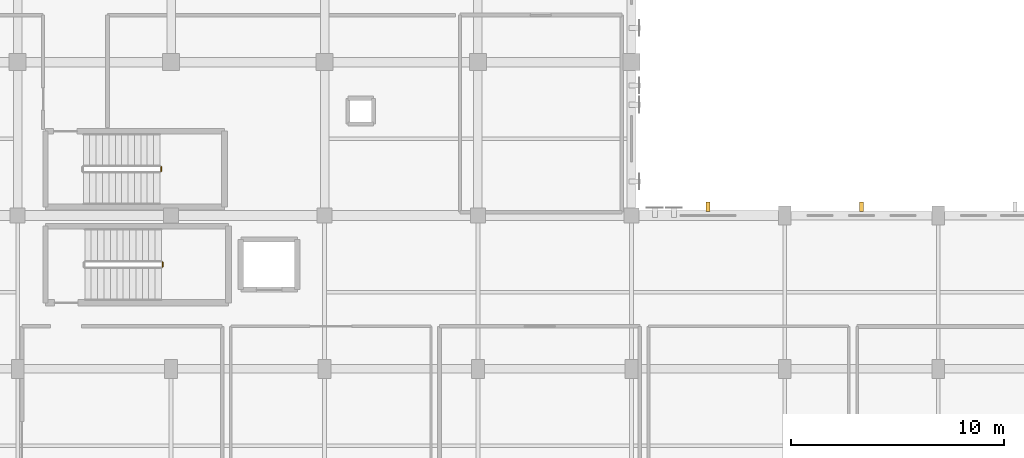
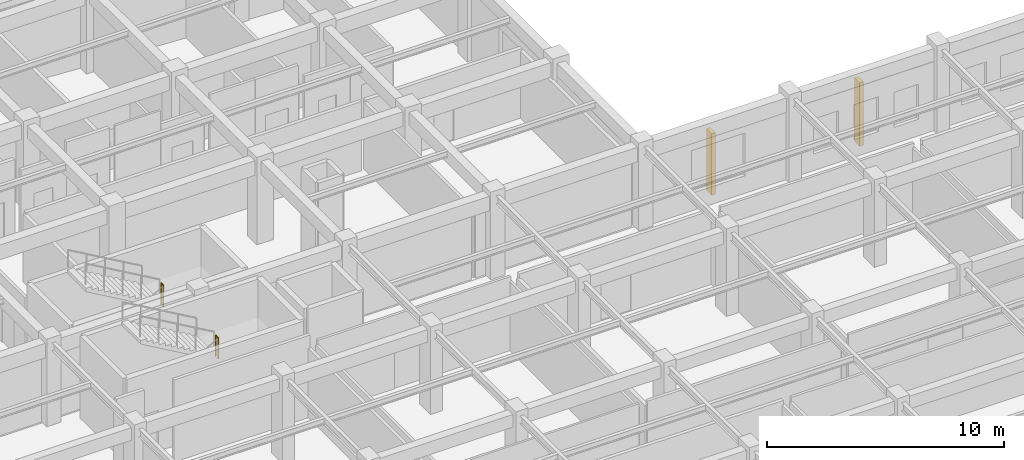
# One storey, part 105 of 106: 2 railings, 2 shading devices.
"""IFC4 building model written with IfcOpenShell, lengths in metres."""

from ifc_helpers import new_model, si_unit, direction, frame, origin, origin_2d, place, context, subcontext, project, spatial, rectangle, circle, extrude, material, layer, layer_set, type_object, element, save


model = new_model("IFC4")

# Units and contexts
model_context = context("Model", 3, precision=1e-05, world=origin(), true_north=direction((0.0, 1.0)))
body_context = subcontext(model_context, "Body", "Model", "MODEL_VIEW")
ifc_project = project(units=[si_unit("LENGTHUNIT", "METRE"), si_unit("AREAUNIT", "SQUARE_METRE"), si_unit("VOLUMEUNIT", "CUBIC_METRE"), si_unit("PLANEANGLEUNIT", "RADIAN"), si_unit("MASSUNIT", "GRAM", prefix="KILO")], contexts=[model_context])

# Site, building, storey
site_placement = place(None, origin())
site = spatial("IfcSite", under=ifc_project, at=site_placement, CompositionType="ELEMENT")
building_placement = place(site_placement, origin())
building = spatial("IfcBuilding", under=site, at=building_placement, Name="Carrowvane Square Congress Hotel", CompositionType="ELEMENT")
storey_placement = place(building_placement, frame((0.0, 0.0, 10.5)))
storey = spatial("IfcBuildingStorey", under=building, at=storey_placement, Name="L02", CompositionType="ELEMENT", Elevation=10.5)

# Railings
ifc_material_1 = material(Name="Galvanised steel", Category="steel")
ifc_layer = layer(ifc_material_1, 0.048095703125)
ifc_layer_set = layer_set([ifc_layer], Name="Galvanised steel")
railing_type = type_object("IfcRailingType", Name="RLG-STG-1100", PredefinedType="GUARDRAIL", material=ifc_layer_set)
for number, where, name in (
    (1, (140.800048828125, 89.39990234375, 2.25), "L02 ST8 stair guard 2"),
    (2, (140.72998046875, 93.8798828125, 2.25), "L02 ST12 stair guard 2"),
):
    element("IfcRailing", number, at=place(storey_placement, frame(where)), inside=storey, type_object=railing_type, Name=name, PredefinedType="GUARDRAIL", context=body_context, shape_type="SweptSolid", body=[
        extrude(circle(Radius=0.02392578125, at=origin_2d()), frame((0.0, 0.0, 1.076171875), z_axis=(0.0, 1.0, 0.0), x_axis=(-1.0, 0.0, 0.0)), (0.0, 0.0, 1.0), 0.2001953125),
        extrude(circle(Radius=0.02099609375, at=origin_2d()), origin(), (0.0, 0.0, 1.0), 1.052001953125),
        extrude(circle(Radius=0.02099609375, at=origin_2d()), frame((0.0, 0.2001953125, 0.0)), (0.0, 0.0, 1.0), 1.052001953125),
    ])

# Shading devices
ifc_material_2 = material(Name="Portland limestone cladding", Category="masonry")
shading_device_type = type_object("IfcShadingDeviceType", Name="SHD-FIN-LS", PredefinedType="USERDEFINED", material=ifc_material_2)
shading_device_1_placement = place(storey_placement, frame((166.39990234375, 92.2099609375, 0.14990234375), z_axis=(0.0, 0.0, 1.0), x_axis=(1.0, 0.0, 0.0)))
element("IfcShadingDevice", 3, at=shading_device_1_placement, inside=storey, type_object=shading_device_type, Name="Limestone brise-soleil fin 4", ObjectType="FIN", PredefinedType="USERDEFINED", context=body_context, shape_type="SweptSolid", body=[
    extrude(rectangle(XDim=0.179931640625, YDim=0.449951171875, at=origin_2d()), origin(), (0.0, 0.0, 1.0), 3.155029296875),
])
shading_device_2_placement = place(storey_placement, frame((173.60009765625, 92.2099609375, 0.150146484375), z_axis=(0.0, 0.0, 1.0), x_axis=(1.0, 0.0, 0.0)))
element("IfcShadingDevice", 4, at=shading_device_2_placement, inside=storey, type_object=shading_device_type, Name="Limestone brise-soleil fin 5", ObjectType="FIN", PredefinedType="USERDEFINED", context=body_context, shape_type="SweptSolid", body=[
    extrude(rectangle(XDim=0.179931640625, YDim=0.449951171875, at=origin_2d()), origin(), (0.0, 0.0, 1.0), 3.2548828125),
])

save(model, "model.ifc")
